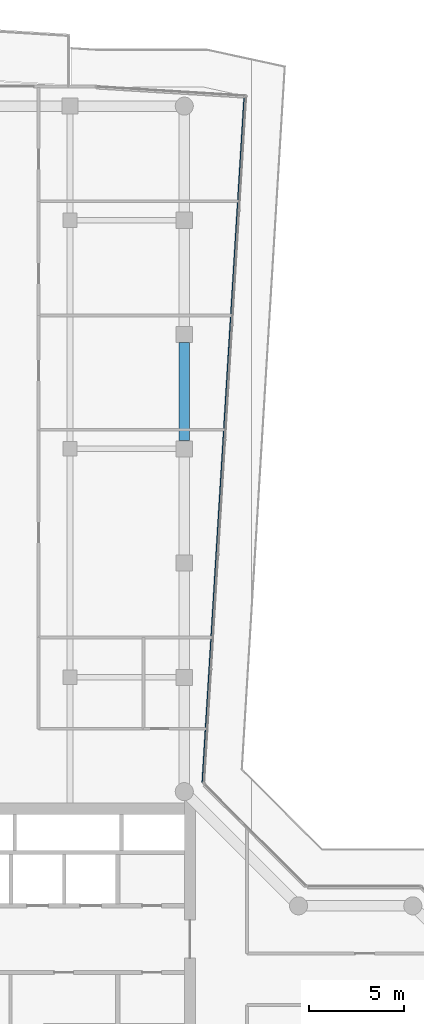
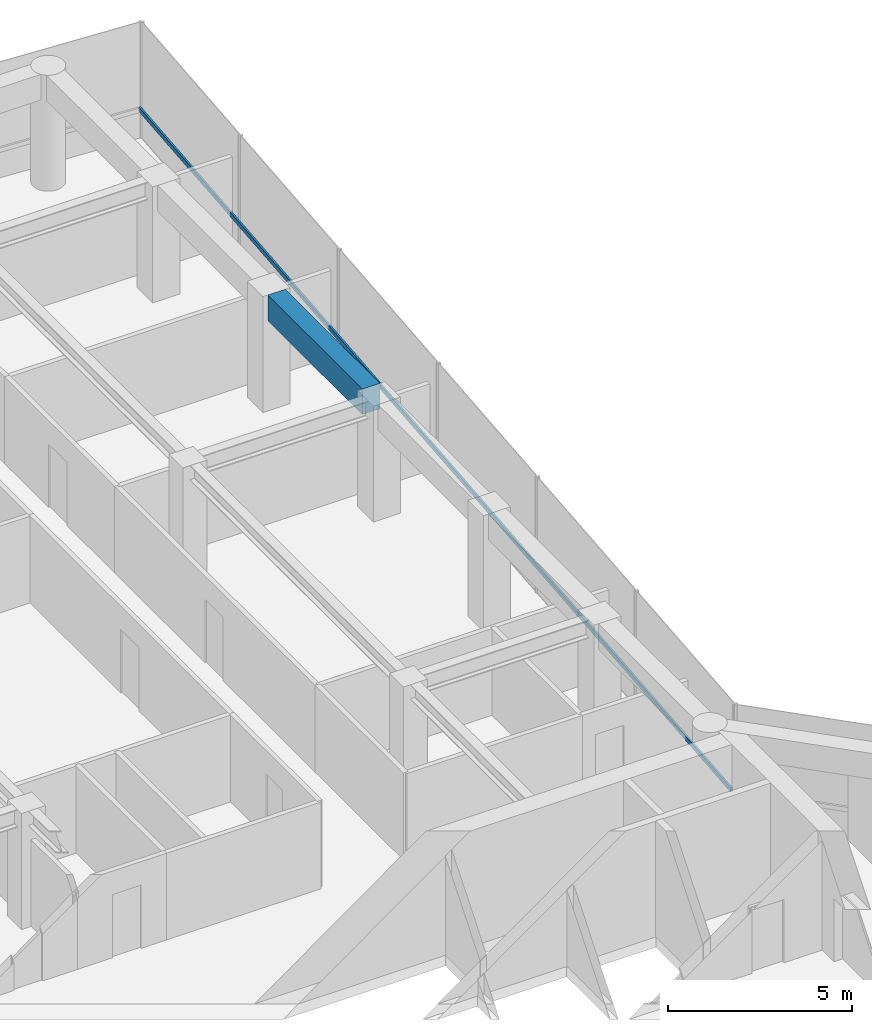
# One storey, part 14 of 22: 1 beam, 1 member, 1 element without a shape of its own.
"""IFC4 building model written with IfcOpenShell, lengths in metres."""

from ifc_helpers import new_model, si_unit, direction, frame, origin, origin_2d, place, context, subcontext, project, spatial, rectangle, extrude, material, layer, layer_set, material_profile, profile_set, type_object, element, aggregate, save


model = new_model("IFC4")

# Units and contexts
model_context = context("Model", 3, precision=1e-05, world=origin(), true_north=direction((0.0, 1.0)))
body_context = subcontext(model_context, "Body", "Model", "MODEL_VIEW")
ifc_project = project(units=[si_unit("LENGTHUNIT", "METRE"), si_unit("AREAUNIT", "SQUARE_METRE"), si_unit("VOLUMEUNIT", "CUBIC_METRE"), si_unit("PLANEANGLEUNIT", "RADIAN"), si_unit("MASSUNIT", "GRAM", prefix="KILO")], contexts=[model_context])

# Site, building, storey
site_placement = place(None, origin())
site = spatial("IfcSite", under=ifc_project, at=site_placement, CompositionType="ELEMENT")
building_placement = place(site_placement, origin())
building = spatial("IfcBuilding", under=site, at=building_placement, Name="Welwitschia Terrace Campus", CompositionType="ELEMENT")
storey_placement = place(building_placement, frame((0.0, 0.0, 155.0)))
storey = spatial("IfcBuildingStorey", under=building, at=storey_placement, Name="L34", CompositionType="ELEMENT", Elevation=155.0)

# Beam
ifc_material_1 = material(Name="Concrete C50/60", Category="concrete")
ifc_material_profile_1 = material_profile(ifc_material_1, rectangle(XDim=0.550048828125, YDim=0.85009765625, at=origin_2d()))
ifc_profile_set_1 = profile_set([ifc_material_profile_1], Name="Concrete C50/60")
beam_type = type_object("IfcBeamType", Name="Ring spandrel 550x850", PredefinedType="SPANDREL", material=ifc_profile_set_1)
beam_placement = place(storey_placement, frame((24.0, 44.425537109375, 3.425048828125), z_axis=(0.0, 1.0, 0.0), x_axis=(-1.0, 0.0, 0.0)))
element("IfcBeam", 1, at=beam_placement, inside=storey, type_object=beam_type, Name="Spandrel SP3", PredefinedType="SPANDREL", context=body_context, shape_type="SweptSolid", body=[
    extrude(rectangle(XDim=0.550048828125, YDim=0.85009765625, at=origin_2d()), origin(), (0.0, 0.0, 1.0), 5.14892578125),
])

# Curtain wall, member
ifc_material_2 = material(Name="Bronze anodised aluminium", Category="aluminium")
ifc_layer = layer(ifc_material_2, 0.1201171875)
ifc_layer_set = layer_set([ifc_layer], Name="Bronze anodised aluminium")
curtain_wall_type = type_object("IfcCurtainWallType", Name="Curtain wall CW2 tower 6000", PredefinedType="NOTDEFINED", material=ifc_layer_set)
curtain_wall_placement = place(storey_placement, origin())
curtain_wall = element("IfcCurtainWall", 2, at=curtain_wall_placement, inside=storey, type_object=curtain_wall_type, Name="CW L34.8.0", PredefinedType="NOTDEFINED")
ifc_material_3 = material(Name="Bronze anodised aluminium", Category="aluminium")
ifc_material_profile_2 = material_profile(ifc_material_3, rectangle(XDim=0.06005859375, YDim=0.14990234375, at=origin_2d()))
ifc_profile_set_2 = profile_set([ifc_material_profile_2], Name="Bronze anodised aluminium")
member_type = type_object("IfcMemberType", Name="Transom 60x150", PredefinedType="USERDEFINED", material=ifc_profile_set_2)
member_placement = place(storey_placement, frame((24.95458984375, 26.481201171875, 1.0), z_axis=(0.06104676472, 0.998134906973, 0.0), x_axis=(-0.998134906973, 0.06104676472, 0.0)))
member = element("IfcMember", 3, at=member_placement, type_object=member_type, Name="Transom L34.8.0", ObjectType="TRANSOM", PredefinedType="USERDEFINED", context=body_context, shape_type="SweptSolid", body=[
    extrude(rectangle(XDim=0.06005859375, YDim=0.14990234375, at=origin_2d()), origin(), (0.0, 0.0, 1.0), 36.0732421875),
])
aggregate(curtain_wall, [member])

save(model, "model.ifc")
